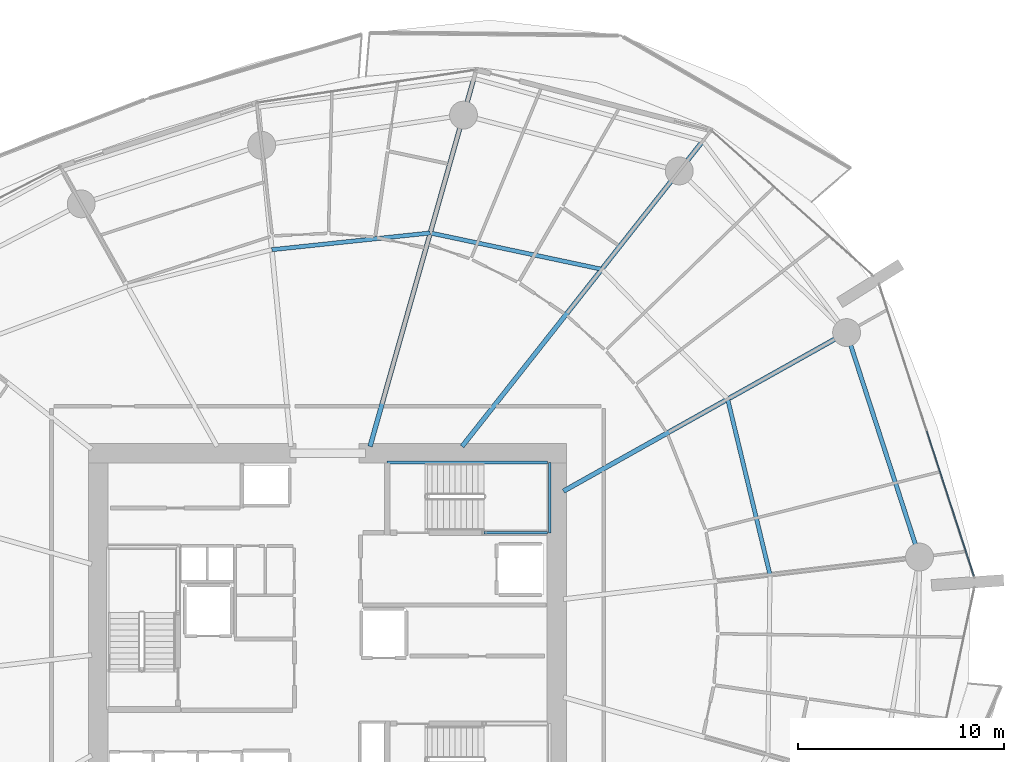
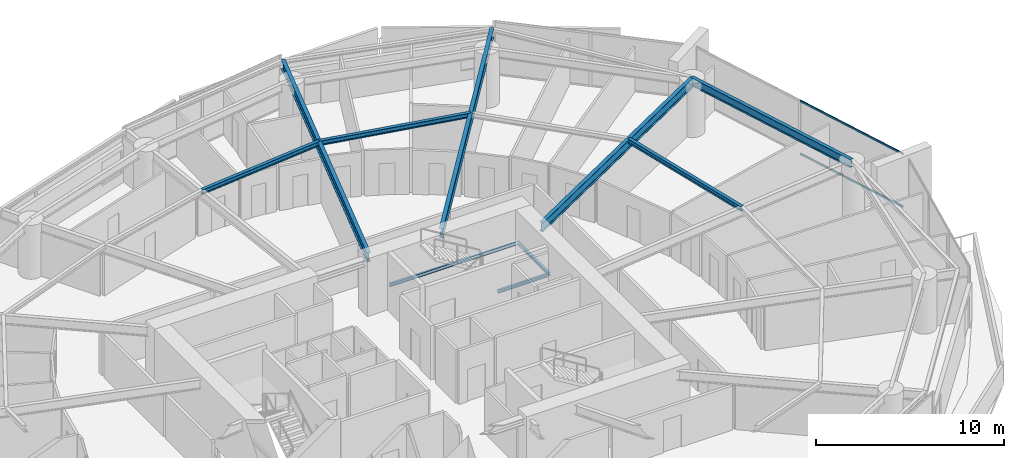
# One storey, part 14 of 31: 10 beams, 2 members, 1 element without a shape of its own.
"""IFC4 building model written with IfcOpenShell, lengths in metres."""

import ifcopenshell
import ifcopenshell.guid

model = None  # the IFC model being written
_history = None  # IfcOwnerHistory: only IFC2X3 demands one
_inside = {}  # id of a spatial element -> (the spatial element, [elements in it])
_under = {}  # id of a project, library or spatial element -> (it, [spatial elements below it])
_declared = {}  # id of a project -> (the project, [libraries it declares])
_typed = {}  # id of a type object -> (the type object, [elements of that type])
_made_of = {}  # id of a material, layer set ... -> (it, [elements and type objects made of it])


def new_model(schema):
    """Start an empty IFC model of exactly this schema.

    Asked for "IFC4X3", IfcOpenShell would pick the latest addendum, in which some entities
    have other attributes; the version numbers below select the first issue.
    IFC2X3 requires an IfcOwnerHistory on every rooted entity: one is made here for all.
    """
    global model, _history
    if schema == "IFC4X3":
        model = ifcopenshell.file(schema_version=(4, 3, 0, 0))
    else:
        model = ifcopenshell.file(schema=schema)
    _inside.clear()
    _under.clear()
    _declared.clear()
    _typed.clear()
    _made_of.clear()
    _history = None
    if model.schema == "IFC2X3":
        org = make("IfcOrganization", Name="unknown")
        user = make(
            "IfcPersonAndOrganization",
            ThePerson=make("IfcPerson", FamilyName="unknown"),
            TheOrganization=org,
        )
        app = make(
            "IfcApplication",
            ApplicationDeveloper=org,
            Version="unknown",
            ApplicationFullName="unknown",
            ApplicationIdentifier="unknown",
        )
        _history = make(
            "IfcOwnerHistory",
            OwningUser=user,
            OwningApplication=app,
            ChangeAction="ADDED",
            CreationDate=0,
        )
    return model


def make(cls, **values):
    """One entity of the class cls with the attributes given. An attribute that is None is left unset."""
    return model.create_entity(
        cls, **{name: value for name, value in values.items() if value is not None}
    )


def rooted(cls, **values):
    """An entity with a GlobalId (a new one), such as an element, a storey or a relation."""
    return make(cls, GlobalId=ifcopenshell.guid.new(), OwnerHistory=_history, **values)


def si_unit(unit_type, name, prefix=None):
    """IfcSIUnit, for example si_unit("LENGTHUNIT", "METRE", prefix="MILLI")."""
    return make("IfcSIUnit", UnitType=unit_type, Prefix=prefix, Name=name)


def assignment(units):
    """IfcUnitAssignment: the units of a project."""
    return None if units is None else make("IfcUnitAssignment", Units=units)


def point(xyz):
    """IfcCartesianPoint."""
    return None if xyz is None else make("IfcCartesianPoint", Coordinates=xyz)


def direction(xyz):
    """IfcDirection."""
    return None if xyz is None else make("IfcDirection", DirectionRatios=xyz)


def frame(location, z_axis=None, x_axis=None):
    """IfcAxis2Placement3D, a coordinate frame: its origin and axes. An axis left out is left unset."""
    return make(
        "IfcAxis2Placement3D",
        Location=point(location),
        Axis=direction(z_axis),
        RefDirection=direction(x_axis),
    )


def frame_2d(location, x_axis=None):
    """IfcAxis2Placement2D, a coordinate frame in the plane: its origin and x axis."""
    return make(
        "IfcAxis2Placement2D", Location=point(location), RefDirection=direction(x_axis)
    )


def origin():
    """The frame at (0, 0, 0) with its axes left unset."""
    return frame((0.0, 0.0, 0.0))


def origin_2d():
    """The frame at (0, 0) in the plane with its x axis left unset."""
    return frame_2d((0.0, 0.0))


def place(relative_to, where):
    """IfcLocalPlacement: puts the frame where relative to a parent placement (None: the world)."""
    return make(
        "IfcLocalPlacement", PlacementRelTo=relative_to, RelativePlacement=where
    )


def context(
    kind, dimensions, precision=None, world=None, true_north=None, identifier=None
):
    """IfcGeometricRepresentationContext, for example the 3D "Model" context."""
    return make(
        "IfcGeometricRepresentationContext",
        ContextIdentifier=identifier,
        ContextType=kind,
        CoordinateSpaceDimension=dimensions,
        Precision=precision,
        WorldCoordinateSystem=world,
        TrueNorth=true_north,
    )


def subcontext(parent, identifier, kind, view, scale=None):
    """IfcGeometricRepresentationSubContext, for example "Body" below "Model"."""
    return make(
        "IfcGeometricRepresentationSubContext",
        ContextIdentifier=identifier,
        ContextType=kind,
        ParentContext=parent,
        TargetScale=scale,
        TargetView=view,
    )


def project(units=None, contexts=None):
    """IfcProject with its units and contexts."""
    return rooted(
        "IfcProject",
        Name="project",
        RepresentationContexts=contexts,
        UnitsInContext=assignment(units),
    )


def spatial(cls, under=None, at=None, **own):
    """A site, building, storey or space (cls), placed at a placement, below another one or the project."""
    s = rooted(cls, ObjectPlacement=at, **own)
    if under is not None:
        _under.setdefault(under.id(), (under, []))[1].append(s)
    return s


def profile(cls, at=None, kind="AREA", **sizes):
    """A parametric profile (cls). Its sizes go by their IFC names, for example OverallWidth=200.0."""
    return make(cls, ProfileType=kind, Position=at, **sizes)


def rectangle(**sizes):
    """IfcRectangleProfileDef."""
    return profile("IfcRectangleProfileDef", **sizes)


def i_section(**sizes):
    """IfcIShapeProfileDef."""
    return profile("IfcIShapeProfileDef", **sizes)


def extrude(swept, where, along, depth):
    """IfcExtrudedAreaSolid: the profile swept, set in the frame where, extruded along a direction by depth."""
    return make(
        "IfcExtrudedAreaSolid",
        SweptArea=swept,
        Position=where,
        ExtrudedDirection=direction(along),
        Depth=depth,
    )


def shape(context_of_items, identifier, shape_type, items):
    """IfcShapeRepresentation: the items that make up one representation, for example the "Body"."""
    return make(
        "IfcShapeRepresentation",
        ContextOfItems=context_of_items,
        RepresentationIdentifier=identifier,
        RepresentationType=shape_type,
        Items=items,
    )


def material(Name=None, Category=None):
    """IfcMaterial."""
    return make("IfcMaterial", Name=Name, Category=Category)


def layer(
    of_material, thickness, ventilated=None, Name=None, Category=None, Priority=None
):
    """IfcMaterialLayer: one layer of a wall or slab, of a material (None: an air gap)."""
    return make(
        "IfcMaterialLayer",
        Material=of_material,
        LayerThickness=thickness,
        IsVentilated=ventilated,
        Name=Name,
        Category=Category,
        Priority=Priority,
    )


def layer_set(layers, Name=None):
    """IfcMaterialLayerSet."""
    return make("IfcMaterialLayerSet", MaterialLayers=layers, LayerSetName=Name)


def material_profile(
    of_material, cross_section, Name=None, Category=None, Priority=None
):
    """IfcMaterialProfile: a cross section and its material."""
    return make(
        "IfcMaterialProfile",
        Name=Name,
        Material=of_material,
        Profile=cross_section,
        Priority=Priority,
        Category=Category,
    )


def profile_set(profiles, Name=None, composite=None):
    """IfcMaterialProfileSet."""
    return make(
        "IfcMaterialProfileSet",
        Name=Name,
        MaterialProfiles=profiles,
        CompositeProfile=composite,
    )


def made_of(thing, what):
    """Note that an element or type object is made of a material, layer set ...; save() writes the relation."""
    if what is not None:
        _made_of.setdefault(what.id(), (what, []))[1].append(thing)
    return thing


def type_object(cls, material=None, **own):
    """A type object (cls), such as IfcWallType, which elements share."""
    return made_of(rooted(cls, **own), material)


def element(
    cls,
    number,
    at=None,
    inside=None,
    cuts=None,
    type_object=None,
    material=None,
    context=None,
    identifier="Body",
    shape_type=None,
    held_by="IfcProductDefinitionShape",
    body=None,
    shapes=None,
    **own,
):
    """One element of the class cls, such as IfcWall. Its Tag is "e" and its number.

    at: its placement. inside: the storey or other place that contains it. cuts: it is an
    opening in that element (IfcRelVoidsElement). A single representation is given by context,
    identifier, shape_type and body (its items); several are given by shapes. held_by: the class
    of the entity that holds the representations. save() writes the other relations.
    """
    e = rooted(cls, Tag="e%d" % number, ObjectPlacement=at, **own)
    if body is not None:
        shapes = [shape(context, identifier, shape_type, body)]
    if shapes is not None:
        e.Representation = make(held_by, Representations=shapes)
    if inside is not None:
        _inside.setdefault(inside.id(), (inside, []))[1].append(e)
    if cuts is not None:
        rooted(
            "IfcRelVoidsElement", RelatingBuildingElement=cuts, RelatedOpeningElement=e
        )
    if type_object is not None:
        _typed.setdefault(type_object.id(), (type_object, []))[1].append(e)
    return made_of(e, material)


def aggregate(whole, parts):
    """IfcRelAggregates: a whole, such as a stair, and the parts it consists of."""
    return rooted("IfcRelAggregates", RelatingObject=whole, RelatedObjects=parts)


def save(model, path):
    """Write the relations noted so far, then the file.

    IfcRelAggregates (storeys below a building ...), IfcRelContainedInSpatialStructure (elements
    in a storey), IfcRelDefinesByType, IfcRelAssociatesMaterial and IfcRelDeclares: one each for
    every whole, place, type object, material and project.
    """
    for whole, parts in _under.values():
        aggregate(whole, parts)
    for where, things in _inside.values():
        rooted(
            "IfcRelContainedInSpatialStructure",
            RelatedElements=things,
            RelatingStructure=where,
        )
    for kind, things in _typed.values():
        rooted("IfcRelDefinesByType", RelatedObjects=things, RelatingType=kind)
    for what, things in _made_of.values():
        rooted("IfcRelAssociatesMaterial", RelatedObjects=things, RelatingMaterial=what)
    for by, libraries in _declared.values():
        rooted("IfcRelDeclares", RelatingContext=by, RelatedDefinitions=libraries)
    model.write(path)


model = new_model("IFC4")

# Units and contexts
model_context = context("Model", 3, precision=1e-05, world=origin(), true_north=direction((0.0, 1.0)))
body_context = subcontext(model_context, "Body", "Model", "MODEL_VIEW")
ifc_project = project(units=[si_unit("LENGTHUNIT", "METRE"), si_unit("AREAUNIT", "SQUARE_METRE"), si_unit("VOLUMEUNIT", "CUBIC_METRE"), si_unit("PLANEANGLEUNIT", "RADIAN"), si_unit("MASSUNIT", "GRAM", prefix="KILO")], contexts=[model_context])

# Site, building, storey
site_placement = place(None, origin())
site = spatial("IfcSite", under=ifc_project, at=site_placement, CompositionType="ELEMENT")
building_placement = place(site_placement, origin())
building = spatial("IfcBuilding", under=site, at=building_placement, Name="Kazma Halo Residences", CompositionType="ELEMENT")
storey_placement = place(building_placement, frame((0.0, 0.0, 41.39990234375)))
storey = spatial("IfcBuildingStorey", under=building, at=storey_placement, Name="L09", CompositionType="ELEMENT", Elevation=41.39990234375)

# Beams
ifc_material_1 = material(Name="Steel S355", Category="steel")
ifc_material_profile_1 = material_profile(ifc_material_1, i_section(OverallWidth=0.22802734375, OverallDepth=0.60791015625, WebThickness=0.01123046875, FlangeThickness=0.017333984375, FilletRadius=0.01806640625, at=origin_2d()), Name="W610x113")
ifc_profile_set_1 = profile_set([ifc_material_profile_1], Name="Steel S355")
beam_type_1 = type_object("IfcBeamType", Name="BM-RAD-W610", PredefinedType="BEAM", material=ifc_profile_set_1)
beam_1_placement = place(storey_placement, frame((59.85009765625, 48.63623046875, 3.196044921875), z_axis=(0.872489859828, 0.48863221803, 0.0), x_axis=(-0.48863221803, 0.872489859828, 0.0)))
element("IfcBeam", 1, at=beam_1_placement, inside=storey, type_object=beam_type_1, Name="L09 radial floor beam 01", PredefinedType="BEAM", context=body_context, shape_type="SweptSolid", body=[
    extrude(i_section(OverallWidth=0.22802734375, OverallDepth=0.60791015625, WebThickness=0.01123046875, FlangeThickness=0.017333984375, FilletRadius=0.01806640625, at=origin_2d()), origin(), (0.0, 0.0, 1.0), 15.71923828125),
])
beam_2_placement = place(storey_placement, frame((54.9375, 50.800048828125, 3.196044921875), z_axis=(0.619092154321, 0.785318345932, 0.0), x_axis=(-0.785318345932, 0.619092154321, 0.0)))
element("IfcBeam", 2, at=beam_2_placement, inside=storey, type_object=beam_type_1, Name="L09 radial floor beam 02", PredefinedType="BEAM", context=body_context, shape_type="SweptSolid", body=[
    extrude(i_section(OverallWidth=0.22802734375, OverallDepth=0.60791015625, WebThickness=0.01123046875, FlangeThickness=0.017333984375, FilletRadius=0.01806640625, at=origin_2d()), origin(), (0.0, 0.0, 1.0), 18.84375),
])
beam_3_placement = place(storey_placement, frame((50.48193359375, 50.800048828125, 3.196044921875), z_axis=(0.271442010129, 0.962454796412, 0.0), x_axis=(-0.962454796412, 0.271442010129, 0.0)))
element("IfcBeam", 3, at=beam_3_placement, inside=storey, type_object=beam_type_1, Name="L09 radial floor beam 03", PredefinedType="BEAM", context=body_context, shape_type="SweptSolid", body=[
    extrude(i_section(OverallWidth=0.22802734375, OverallDepth=0.60791015625, WebThickness=0.01123046875, FlangeThickness=0.017333984375, FilletRadius=0.01806640625, at=origin_2d()), origin(), (0.0, 0.0, 1.0), 18.525390625),
])
ifc_material_profile_2 = material_profile(ifc_material_1, i_section(OverallWidth=0.202880859375, OverallDepth=0.302978515625, WebThickness=0.007568359375, FlangeThickness=0.01318359375, FilletRadius=0.013916015625, at=origin_2d()), Name="W310x60")
ifc_profile_set_2 = profile_set([ifc_material_profile_2], Name="Steel S355")
beam_type_2 = type_object("IfcBeamType", Name="BM-SEC-W310A", PredefinedType="JOIST", material=ifc_profile_set_2)
beam_4_placement = place(storey_placement, frame((61.703857421875, 59.383056640625, 3.3486328125), z_axis=(-0.97831665719, 0.207114746615, 0.0), x_axis=(-0.207114746615, -0.97831665719, 0.0)))
element("IfcBeam", 4, at=beam_4_placement, inside=storey, type_object=beam_type_2, Name="L09 circumferential floor joist 02", PredefinedType="JOIST", context=body_context, shape_type="SweptSolid", body=[
    extrude(i_section(OverallWidth=0.202880859375, OverallDepth=0.302978515625, WebThickness=0.007568359375, FlangeThickness=0.01318359375, FilletRadius=0.013916015625, at=origin_2d()), origin(), (0.0, 0.0, 1.0), 8.489501953125),
])
beam_5_placement = place(storey_placement, frame((53.3984375, 61.141357421875, 3.3486328125), z_axis=(-0.994456114777, -0.10515244069, 0.0), x_axis=(0.10515244069, -0.994456114777, 0.0)))
element("IfcBeam", 5, at=beam_5_placement, inside=storey, type_object=beam_type_2, Name="L09 circumferential floor joist 03", PredefinedType="JOIST", context=body_context, shape_type="SweptSolid", body=[
    extrude(i_section(OverallWidth=0.202880859375, OverallDepth=0.302978515625, WebThickness=0.007568359375, FlangeThickness=0.01318359375, FilletRadius=0.013916015625, at=origin_2d()), origin(), (0.0, 0.0, 1.0), 7.717529296875),
])
beam_6_placement = place(storey_placement, frame((69.853759765625, 44.586669921875, 3.3486328125), z_axis=(-0.234233116199, 0.972180460242, 0.0), x_axis=(-0.972180460242, -0.234233116199, 0.0)))
element("IfcBeam", 6, at=beam_6_placement, inside=storey, type_object=beam_type_2, Name="L09 circumferential floor joist 16", PredefinedType="JOIST", context=body_context, shape_type="SweptSolid", body=[
    extrude(i_section(OverallWidth=0.202880859375, OverallDepth=0.302978515625, WebThickness=0.007568359375, FlangeThickness=0.01318359375, FilletRadius=0.013916015625, at=origin_2d()), origin(), (0.0, 0.0, 1.0), 8.748046875),
])
ifc_material_profile_3 = material_profile(ifc_material_1, i_section(OverallWidth=0.208984375, OverallDepth=0.532958984375, WebThickness=0.01025390625, FlangeThickness=0.015625, FilletRadius=0.01611328125, at=origin_2d()), Name="W530x92")
ifc_profile_set_3 = profile_set([ifc_material_profile_3], Name="Steel S355")
beam_type_3 = type_object("IfcBeamType", Name="BM-SPN-W530", PredefinedType="BEAM", material=ifc_profile_set_3)
beam_7_placement = place(storey_placement, frame((77.097900390625, 45.444091796875, 3.233642578125), z_axis=(-0.309024264898, 0.951054153928, 0.0), x_axis=(-0.951054153928, -0.309024264898, 0.0)))
element("IfcBeam", 7, at=beam_7_placement, inside=storey, type_object=beam_type_3, Name="L09 perimeter ring beam 16", PredefinedType="BEAM", context=body_context, shape_type="SweptSolid", body=[
    extrude(i_section(OverallWidth=0.208984375, OverallDepth=0.532958984375, WebThickness=0.01025390625, FlangeThickness=0.015625, FilletRadius=0.01611328125, at=origin_2d()), origin(), (0.0, 0.0, 1.0), 11.4326171875),
])
ifc_material_profile_4 = material_profile(ifc_material_1, i_section(OverallWidth=0.133056640625, OverallDepth=0.20703125, WebThickness=0.005859375, FlangeThickness=0.00830078125, FilletRadius=0.010009765625, at=origin_2d()), Name="W200x26.6")
ifc_profile_set_4 = profile_set([ifc_material_profile_4], Name="Steel S355")
beam_type_4 = type_object("IfcBeamType", Name="BM-TRIM-W200", PredefinedType="BEAM", material=ifc_profile_set_4)
beam_8_placement = place(storey_placement, frame((51.31005859375, 50.02001953125, 1.570068359375), z_axis=(1.0, 0.0, 0.0), x_axis=(0.0, 1.0, 0.0)))
element("IfcBeam", 8, at=beam_8_placement, inside=storey, type_object=beam_type_4, Name="L09 ST-02 landing north wall ledger", PredefinedType="BEAM", context=body_context, shape_type="SweptSolid", body=[
    extrude(i_section(OverallWidth=0.133056640625, OverallDepth=0.20703125, WebThickness=0.005859375, FlangeThickness=0.00830078125, FilletRadius=0.010009765625, at=origin_2d()), origin(), (0.0, 0.0, 1.0), 7.760009765625),
])
beam_9_placement = place(storey_placement, frame((56.0, 46.6201171875, 1.570068359375), z_axis=(1.0, 0.0, 0.0), x_axis=(0.0, 1.0, 0.0)))
element("IfcBeam", 9, at=beam_9_placement, inside=storey, type_object=beam_type_4, Name="L09 ST-02 landing south wall ledger", PredefinedType="BEAM", context=body_context, shape_type="SweptSolid", body=[
    extrude(i_section(OverallWidth=0.133056640625, OverallDepth=0.20703125, WebThickness=0.005859375, FlangeThickness=0.00830078125, FilletRadius=0.010009765625, at=origin_2d()), origin(), (0.0, 0.0, 1.0), 3.070068359375),
])
beam_10_placement = place(storey_placement, frame((59.18994140625, 46.6201171875, 1.570068359375), z_axis=(0.0, 1.0, 0.0), x_axis=(-1.0, 0.0, 0.0)))
element("IfcBeam", 10, at=beam_10_placement, inside=storey, type_object=beam_type_4, Name="L09 ST-02 landing end wall ledger", PredefinedType="BEAM", context=body_context, shape_type="SweptSolid", body=[
    extrude(i_section(OverallWidth=0.133056640625, OverallDepth=0.20703125, WebThickness=0.005859375, FlangeThickness=0.00830078125, FilletRadius=0.010009765625, at=origin_2d()), origin(), (0.0, 0.0, 1.0), 3.39990234375),
])

# Curtain wall, members
ifc_material_2 = material(Name="Aluminium AW-6063 T6 and Triple-Silver Low-E Glass", Category="aluminium")
ifc_layer = layer(ifc_material_2, 0.159912109375)
ifc_layer_set = layer_set([ifc_layer], Name="Aluminium AW-6063 T6 and Triple-Silver Low-E Glass")
curtain_wall_type = type_object("IfcCurtainWallType", Name="CW-SYS-2", PredefinedType="NOTDEFINED", material=ifc_layer_set)
curtain_wall_placement = place(storey_placement, origin())
curtain_wall = element("IfcCurtainWall", 11, at=curtain_wall_placement, inside=storey, type_object=curtain_wall_type, Name="L09 unitised curtain wall B16", PredefinedType="NOTDEFINED")
ifc_material_3 = material(Name="Aluminium AW-6063 T6", Category="aluminium")
ifc_material_profile_5 = material_profile(ifc_material_3, rectangle(XDim=0.06005859375, YDim=0.1201171875, at=origin_2d()), Name="CWT-60x120")
ifc_profile_set_5 = profile_set([ifc_material_profile_5], Name="Aluminium AW-6063 T6")
member_type = type_object("IfcMemberType", Name="CW-SYS-2-TRN", PredefinedType="USERDEFINED", material=ifc_profile_set_5)
member_1_placement = place(storey_placement, frame((79.72900390625, 44.52783203125, 0.030029296875), z_axis=(-0.309034393795, 0.951050862705, 0.0), x_axis=(-0.951050862705, -0.309034393795, 0.0)))
member_1 = element("IfcMember", 12, at=member_1_placement, type_object=member_type, Name="CWS-2 transom 1.1", ObjectType="TRANSOM", PredefinedType="USERDEFINED", context=body_context, shape_type="SweptSolid", body=[
    extrude(rectangle(XDim=0.06005859375, YDim=0.1201171875, at=origin_2d()), origin(), (0.0, 0.0, 1.0), 7.370849609375),
])
member_2_placement = place(storey_placement, frame((79.72900390625, 44.52783203125, 3.47021484375), z_axis=(-0.309034393795, 0.951050862705, 0.0), x_axis=(-0.951050862705, -0.309034393795, 0.0)))
member_2 = element("IfcMember", 13, at=member_2_placement, type_object=member_type, Name="CWS-2 transom 1.2", ObjectType="TRANSOM", PredefinedType="USERDEFINED", context=body_context, shape_type="SweptSolid", body=[
    extrude(rectangle(XDim=0.06005859375, YDim=0.1201171875, at=origin_2d()), origin(), (0.0, 0.0, 1.0), 7.370849609375),
])
aggregate(curtain_wall, [member_1, member_2])

save(model, "model.ifc")
